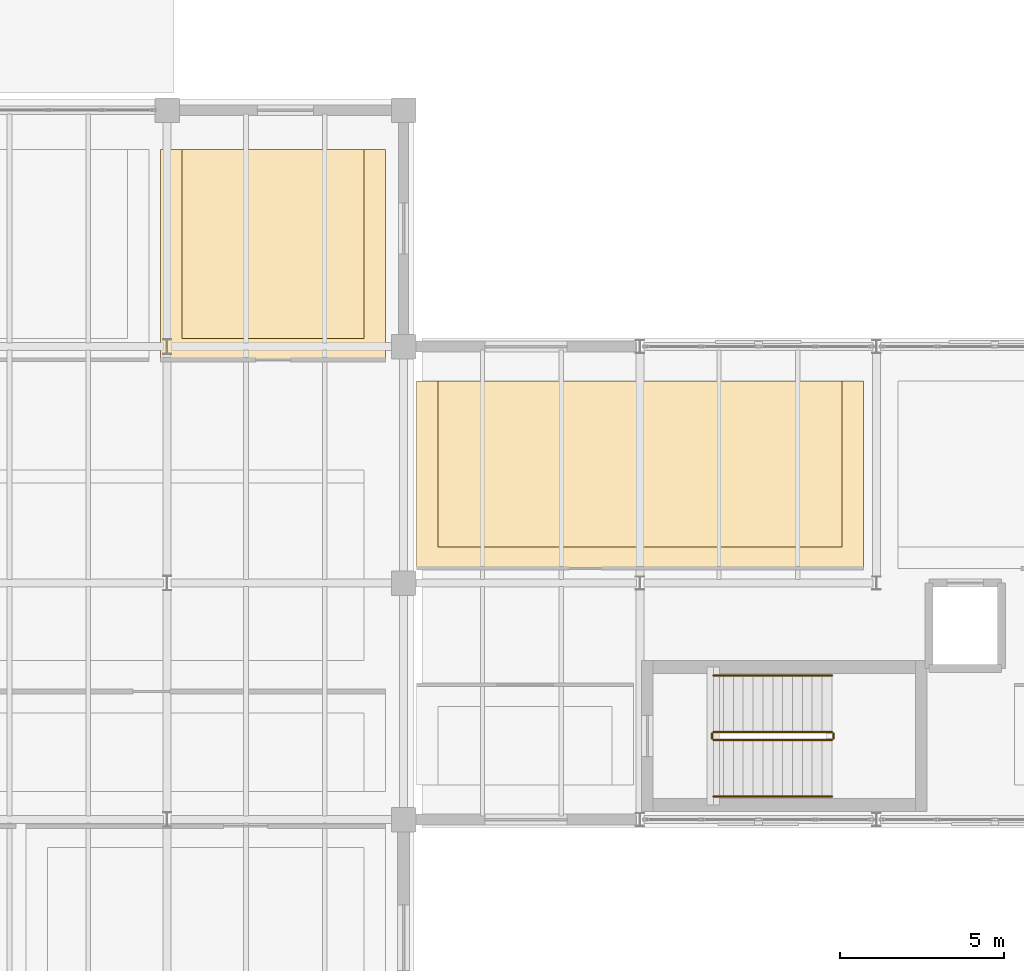
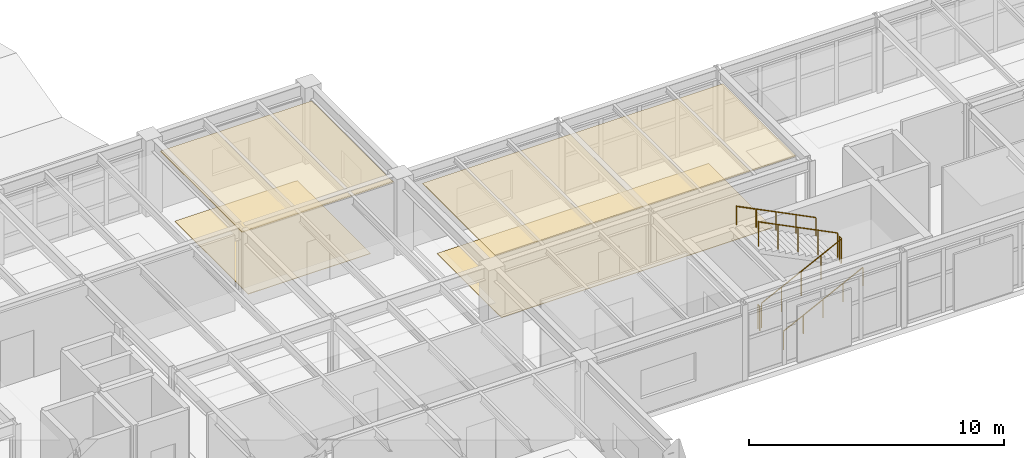
# One storey, part 47 of 48: 6 railings, 4 coverings.
"""IFC4 building model written with IfcOpenShell, lengths in metres."""

from ifc_helpers import new_model, si_unit, direction, frame, origin, origin_2d, place, context, subcontext, project, spatial, polyline, circle, outline, extrude, material, layer, layer_set, type_object, element, save


model = new_model("IFC4")

# Units and contexts
model_context = context("Model", 3, precision=1e-05, world=origin(), true_north=direction((0.0, 1.0)))
body_context = subcontext(model_context, "Body", "Model", "MODEL_VIEW")
ifc_project = project(units=[si_unit("LENGTHUNIT", "METRE"), si_unit("AREAUNIT", "SQUARE_METRE"), si_unit("VOLUMEUNIT", "CUBIC_METRE"), si_unit("PLANEANGLEUNIT", "RADIAN"), si_unit("MASSUNIT", "GRAM", prefix="KILO")], contexts=[model_context])

# Site, building, storey
site_placement = place(None, origin())
site = spatial("IfcSite", under=ifc_project, at=site_placement, CompositionType="ELEMENT")
building_placement = place(site_placement, origin())
building = spatial("IfcBuilding", under=site, at=building_placement, Name="Kandorven Conservatory and Botanical Research Centre", CompositionType="ELEMENT")
storey_placement = place(building_placement, frame((0.0, 0.0, 13.199951171875)))
storey = spatial("IfcBuildingStorey", under=building, at=storey_placement, Name="L03", CompositionType="ELEMENT", Elevation=13.199951171875)

# Coverings
ifc_material_1 = material(Name="Perforated mineral-fibre acoustic ceiling tile", Category="gypsum")
ifc_layer_1 = layer(ifc_material_1, 0.0400390625)
ifc_layer_set_1 = layer_set([ifc_layer_1], Name="Perforated mineral-fibre acoustic ceiling tile")
covering_type_1 = type_object("IfcCoveringType", Name="Cov_Ceiling_1", PredefinedType="CEILING", material=ifc_layer_set_1)
covering_1_placement = place(storey_placement, frame((0.0, 0.0, 3.574951171875)))
element("IfcCovering", 1, at=covering_1_placement, inside=storey, type_object=covering_type_1, Name="Suspended acoustic ceiling CLG-01 (Botanical Periodicals and Rare Atlas Reading Hall)", PredefinedType="CEILING", context=body_context, shape_type="SweptSolid", body=[
    extrude(outline(polyline([(42.39990234375, 20.85009765625), (56.0, 20.85009765625), (56.0, 26.550048828125), (42.39990234375, 26.550048828125), (42.39990234375, 20.85009765625)])), origin(), (0.0, 0.0, 1.0), 0.0400390625),
])
covering_2_placement = place(storey_placement, frame((0.0, 0.0, 3.574951171875)))
element("IfcCovering", 2, at=covering_2_placement, inside=storey, type_object=covering_type_1, Name="Suspended acoustic ceiling CLG-01 (Ethnobotany Herbarium Seminar Studio L03)", PredefinedType="CEILING", context=body_context, shape_type="SweptSolid", body=[
    extrude(outline(polyline([(34.60009765625, 27.199951171875), (41.449951171875, 27.199951171875), (41.449951171875, 33.60009765625), (34.60009765625, 33.60009765625), (34.60009765625, 27.199951171875)])), origin(), (0.0, 0.0, 1.0), 0.0400390625),
])
ifc_material_2 = material(Name="Honed Kota stone and epoxy laboratory flooring", Category="masonry")
ifc_layer_2 = layer(ifc_material_2, 0.02490234375)
ifc_layer_set_2 = layer_set([ifc_layer_2], Name="Honed Kota stone and epoxy laboratory flooring")
covering_type_2 = type_object("IfcCoveringType", Name="Cov_Flooring_1", PredefinedType="FLOORING", material=ifc_layer_set_2)
covering_3_placement = place(storey_placement, origin())
element("IfcCovering", 3, at=covering_3_placement, inside=storey, type_object=covering_type_2, Name="Floor finish FLR-01 (Botanical Periodicals and Rare Atlas Reading Hall)", PredefinedType="FLOORING", context=body_context, shape_type="SweptSolid", body=[
    extrude(outline(polyline([(43.050048828125, 21.5), (55.35009765625, 21.5), (55.35009765625, 26.550048828125), (43.050048828125, 26.550048828125), (43.050048828125, 21.5)])), origin(), (0.0, 0.0, 1.0), 0.025146484375),
])
covering_4_placement = place(storey_placement, origin())
element("IfcCovering", 4, at=covering_4_placement, inside=storey, type_object=covering_type_2, Name="Floor finish FLR-01 (Ethnobotany Herbarium Seminar Studio L03)", PredefinedType="FLOORING", context=body_context, shape_type="SweptSolid", body=[
    extrude(outline(polyline([(35.25, 27.85009765625), (40.800048828125, 27.85009765625), (40.800048828125, 33.60009765625), (35.25, 33.60009765625), (35.25, 27.85009765625)])), origin(), (0.0, 0.0, 1.0), 0.025146484375),
])

# Railings
ifc_material_3 = material(Name="Steel S355 (IS 2062 E350)", Category="steel")
railing_type_1 = type_object("IfcRailingType", Name="StairGuard_1150", PredefinedType="BALUSTRADE", material=ifc_material_3)
railing_1_placement = place(storey_placement, frame((51.43994140625, 15.6201171875, 0.150146484375)))
element("IfcRailing", 5, at=railing_1_placement, inside=storey, type_object=railing_type_1, Name="L03 ST-V3A stair guard 1", PredefinedType="BALUSTRADE", context=body_context, shape_type="SweptSolid", body=[
    extrude(circle(Radius=0.02392578125, at=origin_2d()), frame((0.0, 0.0, 1.17578125), z_axis=(0.894451452574, 0.0, 0.447165069061), x_axis=(0.0, 1.0, 0.0)), (0.0, 0.0, 1.0), 4.02490234375),
    extrude(circle(Radius=0.02099609375, at=origin_2d()), origin(), (0.0, 0.0, 1.0), 1.15185546875),
    extrude(circle(Radius=0.02099609375, at=origin_2d()), frame((0.89990234375, 0.0, 0.449951171875)), (0.0, 0.0, 1.0), 1.15185546875),
    extrude(circle(Radius=0.02099609375, at=origin_2d()), frame((1.800048828125, 0.0, 0.89990234375)), (0.0, 0.0, 1.0), 1.15185546875),
    extrude(circle(Radius=0.02099609375, at=origin_2d()), frame((2.7001953125, 0.0, 1.349853515625)), (0.0, 0.0, 1.0), 1.15185546875),
    extrude(circle(Radius=0.02099609375, at=origin_2d()), frame((3.60009765625, 0.0, 1.7998046875)), (0.0, 0.0, 1.0), 1.15185546875),
])
railing_2_placement = place(storey_placement, frame((55.090087890625, 15.669921875, 1.949951171875)))
element("IfcRailing", 6, at=railing_2_placement, inside=storey, type_object=railing_type_1, Name="L03 ST-V3A stair guard 2", PredefinedType="BALUSTRADE", context=body_context, shape_type="SweptSolid", body=[
    extrude(circle(Radius=0.02392578125, at=origin_2d()), frame((0.0, 0.0, 1.17578125), z_axis=(0.0, 1.0, 0.0), x_axis=(-1.0, 0.0, 0.0)), (0.0, 0.0, 1.0), 0.150146484375),
    extrude(circle(Radius=0.02099609375, at=origin_2d()), origin(), (0.0, 0.0, 1.0), 1.15185546875),
    extrude(circle(Radius=0.02099609375, at=origin_2d()), frame((0.0, 0.150146484375, 0.0)), (0.0, 0.0, 1.0), 1.15185546875),
])
railing_3_placement = place(storey_placement, frame((55.0400390625, 15.8701171875, 2.10009765625)))
element("IfcRailing", 7, at=railing_3_placement, inside=storey, type_object=railing_type_1, Name="L03 ST-V3A stair guard 3", PredefinedType="BALUSTRADE", context=body_context, shape_type="SweptSolid", body=[
    extrude(circle(Radius=0.02392578125, at=origin_2d()), frame((0.0, 0.0, 1.17578125), z_axis=(-0.894427191, 0.0, 0.4472135955), x_axis=(0.0, -1.0, 0.0)), (0.0, 0.0, 1.0), 4.025146484375),
    extrude(circle(Radius=0.02099609375, at=origin_2d()), origin(), (0.0, 0.0, 1.0), 1.15185546875),
    extrude(circle(Radius=0.02099609375, at=origin_2d()), frame((-0.89990234375, 0.0, 0.449951171875)), (0.0, 0.0, 1.0), 1.15185546875),
    extrude(circle(Radius=0.02099609375, at=origin_2d()), frame((-1.800048828125, 0.0, 0.89990234375)), (0.0, 0.0, 1.0), 1.15185546875),
    extrude(circle(Radius=0.02099609375, at=origin_2d()), frame((-2.7001953125, 0.0, 1.35009765625)), (0.0, 0.0, 1.0), 1.15185546875),
    extrude(circle(Radius=0.02099609375, at=origin_2d()), frame((-3.60009765625, 0.0, 1.800048828125)), (0.0, 0.0, 1.0), 1.15185546875),
])
railing_4_placement = place(storey_placement, frame((51.389892578125, 15.669921875, 0.0)))
element("IfcRailing", 8, at=railing_4_placement, inside=storey, type_object=railing_type_1, Name="L03 ST-V3A stair guard 4", PredefinedType="BALUSTRADE", context=body_context, shape_type="SweptSolid", body=[
    extrude(circle(Radius=0.02392578125, at=origin_2d()), frame((0.0, 0.0, 1.17578125), z_axis=(0.0, 1.0, 0.0), x_axis=(-1.0, 0.0, 0.0)), (0.0, 0.0, 1.0), 0.150146484375),
    extrude(circle(Radius=0.02099609375, at=origin_2d()), origin(), (0.0, 0.0, 1.0), 1.15185546875),
    extrude(circle(Radius=0.02099609375, at=origin_2d()), frame((0.0, 0.150146484375, 0.0)), (0.0, 0.0, 1.0), 1.15185546875),
])
ifc_material_4 = material(Name="Steel S355 (IS 2062 E350)", Category="steel")
railing_type_2 = type_object("IfcRailingType", Name="StairHandrail_900", PredefinedType="HANDRAIL", material=ifc_material_4)
railing_5_placement = place(storey_placement, frame((51.43994140625, 13.89990234375, 0.150146484375)))
element("IfcRailing", 9, at=railing_5_placement, inside=storey, type_object=railing_type_2, Name="L03 ST-V3A stair handrail 1", PredefinedType="HANDRAIL", context=body_context, shape_type="SweptSolid", body=[
    extrude(circle(Radius=0.02392578125, at=origin_2d()), frame((0.0, 0.0, 0.8759765625), z_axis=(0.894451452574, 0.0, 0.447165069061), x_axis=(0.0, 1.0, 0.0)), (0.0, 0.0, 1.0), 4.02490234375),
    extrude(circle(Radius=0.02099609375, at=origin_2d()), origin(), (0.0, 0.0, 1.0), 0.851806640625),
    extrude(circle(Radius=0.02099609375, at=origin_2d()), frame((0.89990234375, 0.0, 0.449951171875)), (0.0, 0.0, 1.0), 0.851806640625),
    extrude(circle(Radius=0.02099609375, at=origin_2d()), frame((1.800048828125, 0.0, 0.89990234375)), (0.0, 0.0, 1.0), 0.851806640625),
    extrude(circle(Radius=0.02099609375, at=origin_2d()), frame((2.7001953125, 0.0, 1.349853515625)), (0.0, 0.0, 1.0), 0.851806640625),
    extrude(circle(Radius=0.02099609375, at=origin_2d()), frame((3.60009765625, 0.0, 1.7998046875)), (0.0, 0.0, 1.0), 0.851806640625),
])
railing_6_placement = place(storey_placement, frame((55.0400390625, 17.590087890625, 2.10009765625)))
element("IfcRailing", 10, at=railing_6_placement, inside=storey, type_object=railing_type_2, Name="L03 ST-V3A stair handrail 2", PredefinedType="HANDRAIL", context=body_context, shape_type="SweptSolid", body=[
    extrude(circle(Radius=0.02392578125, at=origin_2d()), frame((0.0, 0.0, 0.8759765625), z_axis=(-0.894427191, 0.0, 0.4472135955), x_axis=(0.0, -1.0, 0.0)), (0.0, 0.0, 1.0), 4.025146484375),
    extrude(circle(Radius=0.02099609375, at=origin_2d()), origin(), (0.0, 0.0, 1.0), 0.851806640625),
    extrude(circle(Radius=0.02099609375, at=origin_2d()), frame((-0.89990234375, 0.0, 0.449951171875)), (0.0, 0.0, 1.0), 0.851806640625),
    extrude(circle(Radius=0.02099609375, at=origin_2d()), frame((-1.800048828125, 0.0, 0.89990234375)), (0.0, 0.0, 1.0), 0.851806640625),
    extrude(circle(Radius=0.02099609375, at=origin_2d()), frame((-2.7001953125, 0.0, 1.35009765625)), (0.0, 0.0, 1.0), 0.851806640625),
    extrude(circle(Radius=0.02099609375, at=origin_2d()), frame((-3.60009765625, 0.0, 1.800048828125)), (0.0, 0.0, 1.0), 0.851806640625),
])

save(model, "model.ifc")
